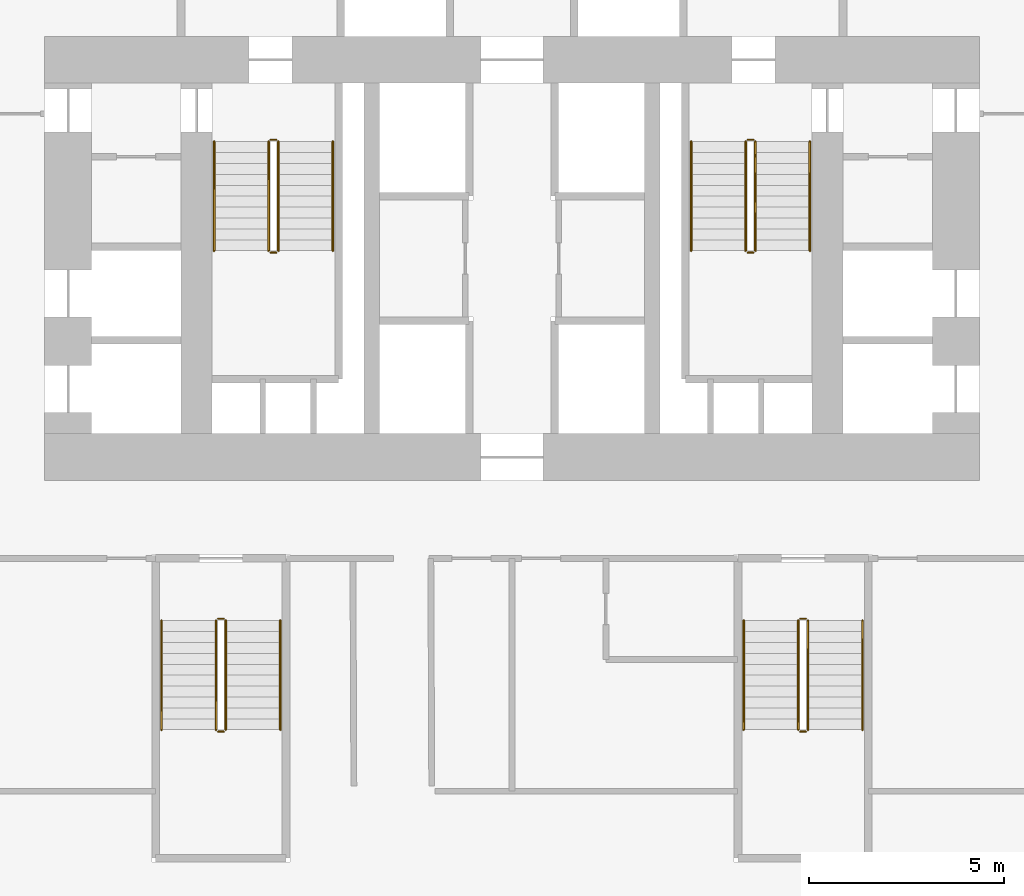
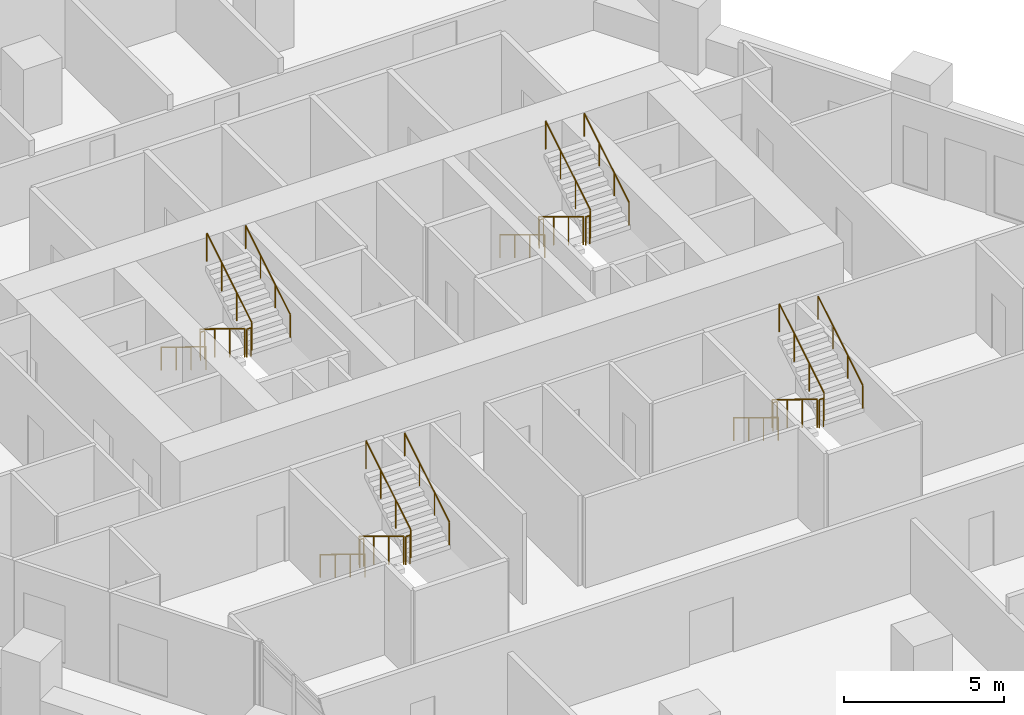
# One storey, part 28 of 28: 24 railings.
"""IFC4 building model written with IfcOpenShell, lengths in metres."""

from ifc_helpers import new_model, si_unit, direction, frame, origin, origin_2d, place, context, subcontext, project, spatial, circle, extrude, material, type_object, element, save


model = new_model("IFC4")

# Units and contexts
model_context = context("Model", 3, precision=1e-05, world=origin(), true_north=direction((0.0, 1.0)))
body_context = subcontext(model_context, "Body", "Model", "MODEL_VIEW")
ifc_project = project(units=[si_unit("LENGTHUNIT", "METRE"), si_unit("AREAUNIT", "SQUARE_METRE"), si_unit("VOLUMEUNIT", "CUBIC_METRE"), si_unit("PLANEANGLEUNIT", "RADIAN"), si_unit("MASSUNIT", "GRAM", prefix="KILO")], contexts=[model_context])

# Site, building, storey
site_placement = place(None, origin())
site = spatial("IfcSite", under=ifc_project, at=site_placement, CompositionType="ELEMENT")
building_placement = place(site_placement, origin())
building = spatial("IfcBuilding", under=site, at=building_placement, Name="Ostrander Bayou Hotel Tower", CompositionType="ELEMENT")
storey_placement = place(building_placement, frame((0.0, 0.0, 73.0)))
storey = spatial("IfcBuildingStorey", under=building, at=storey_placement, Name="L18", CompositionType="ELEMENT", Elevation=73.0)

# Railings
ifc_material_1 = material(Name="Steel ASTM A500 Gr C", Category="steel")
railing_type_1 = type_object("IfcRailingType", Name="GR1 stair guard 1100 mm steel", PredefinedType="GUARDRAIL", material=ifc_material_1)
railing_1_placement = place(storey_placement, frame((-6.25, 7.0, 0.17041015625)))
element("IfcRailing", 1, at=railing_1_placement, inside=storey, type_object=railing_type_1, Name="L18 STA stair guard 1", PredefinedType="GUARDRAIL", context=body_context, shape_type="SweptSolid", body=[
    extrude(circle(Radius=0.02392578125, at=origin_2d()), frame((0.0, 0.0, 1.076171875), z_axis=(0.0, -0.854169791009, 0.51999420009), x_axis=(1.0, 0.0, 0.0)), (0.0, 0.0, 1.0), 3.278076171875),
    extrude(circle(Radius=0.02099609375, at=origin_2d()), origin(), (0.0, 0.0, 1.0), 1.052001953125),
    extrude(circle(Radius=0.02099609375, at=origin_2d()), frame((0.0, -0.933349609375, 0.568115234375)), (0.0, 0.0, 1.0), 1.052001953125),
    extrude(circle(Radius=0.02099609375, at=origin_2d()), frame((0.0, -1.86669921875, 1.136474609375)), (0.0, 0.0, 1.0), 1.052001953125),
    extrude(circle(Radius=0.02099609375, at=origin_2d()), frame((0.0, -2.800048828125, 1.70458984375)), (0.0, 0.0, 1.0), 1.052001953125),
])
railing_2_placement = place(storey_placement, frame((-6.199951171875, 4.14990234375, 1.875)))
element("IfcRailing", 2, at=railing_2_placement, inside=storey, type_object=railing_type_1, Name="L18 STA stair guard 2", PredefinedType="GUARDRAIL", context=body_context, shape_type="SweptSolid", body=[
    extrude(circle(Radius=0.02392578125, at=origin_2d()), frame((0.0, 0.0, 1.076171875), z_axis=(1.0, 0.0, 0.0), x_axis=(0.0, 1.0, 0.0)), (0.0, 0.0, 1.0), 0.14990234375),
    extrude(circle(Radius=0.02099609375, at=origin_2d()), origin(), (0.0, 0.0, 1.0), 1.052001953125),
    extrude(circle(Radius=0.02099609375, at=origin_2d()), frame((0.14990234375, 0.0, 0.0)), (0.0, 0.0, 1.0), 1.052001953125),
])
railing_3_placement = place(storey_placement, frame((-6.0, 4.199951171875, 2.04541015625)))
element("IfcRailing", 3, at=railing_3_placement, inside=storey, type_object=railing_type_1, Name="L18 STA stair guard 3", PredefinedType="GUARDRAIL", context=body_context, shape_type="SweptSolid", body=[
    extrude(circle(Radius=0.02392578125, at=origin_2d()), frame((0.0, 0.0, 1.076171875), z_axis=(0.0, 0.854169791009, 0.51999420009), x_axis=(-1.0, 0.0, 0.0)), (0.0, 0.0, 1.0), 3.278076171875),
    extrude(circle(Radius=0.02099609375, at=origin_2d()), origin(), (0.0, 0.0, 1.0), 1.052001953125),
    extrude(circle(Radius=0.02099609375, at=origin_2d()), frame((0.0, 0.933349609375, 0.568115234375)), (0.0, 0.0, 1.0), 1.052001953125),
    extrude(circle(Radius=0.02099609375, at=origin_2d()), frame((0.0, 1.86669921875, 1.136474609375)), (0.0, 0.0, 1.0), 1.052001953125),
    extrude(circle(Radius=0.02099609375, at=origin_2d()), frame((0.0, 2.800048828125, 1.70458984375)), (0.0, 0.0, 1.0), 1.052001953125),
])
railing_4_placement = place(storey_placement, frame((-6.199951171875, 7.050048828125, 0.0)))
element("IfcRailing", 4, at=railing_4_placement, inside=storey, type_object=railing_type_1, Name="L18 STA stair guard 4", PredefinedType="GUARDRAIL", context=body_context, shape_type="SweptSolid", body=[
    extrude(circle(Radius=0.02392578125, at=origin_2d()), frame((0.0, 0.0, 1.076171875), z_axis=(1.0, 0.0, 0.0), x_axis=(0.0, 1.0, 0.0)), (0.0, 0.0, 1.0), 0.14990234375),
    extrude(circle(Radius=0.02099609375, at=origin_2d()), origin(), (0.0, 0.0, 1.0), 1.052001953125),
    extrude(circle(Radius=0.02099609375, at=origin_2d()), frame((0.14990234375, 0.0, 0.0)), (0.0, 0.0, 1.0), 1.052001953125),
])
railing_5_placement = place(storey_placement, frame((6.0, 7.0, 0.17041015625)))
element("IfcRailing", 5, at=railing_5_placement, inside=storey, type_object=railing_type_1, Name="L18 STB stair guard 1", PredefinedType="GUARDRAIL", context=body_context, shape_type="SweptSolid", body=[
    extrude(circle(Radius=0.02392578125, at=origin_2d()), frame((0.0, 0.0, 1.076171875), z_axis=(0.0, -0.854169791009, 0.51999420009), x_axis=(1.0, 0.0, 0.0)), (0.0, 0.0, 1.0), 3.278076171875),
    extrude(circle(Radius=0.02099609375, at=origin_2d()), origin(), (0.0, 0.0, 1.0), 1.052001953125),
    extrude(circle(Radius=0.02099609375, at=origin_2d()), frame((0.0, -0.933349609375, 0.568115234375)), (0.0, 0.0, 1.0), 1.052001953125),
    extrude(circle(Radius=0.02099609375, at=origin_2d()), frame((0.0, -1.86669921875, 1.136474609375)), (0.0, 0.0, 1.0), 1.052001953125),
    extrude(circle(Radius=0.02099609375, at=origin_2d()), frame((0.0, -2.800048828125, 1.70458984375)), (0.0, 0.0, 1.0), 1.052001953125),
])
railing_6_placement = place(storey_placement, frame((6.050048828125, 4.14990234375, 1.875)))
element("IfcRailing", 6, at=railing_6_placement, inside=storey, type_object=railing_type_1, Name="L18 STB stair guard 2", PredefinedType="GUARDRAIL", context=body_context, shape_type="SweptSolid", body=[
    extrude(circle(Radius=0.02392578125, at=origin_2d()), frame((0.0, 0.0, 1.076171875), z_axis=(1.0, 0.0, 0.0), x_axis=(0.0, 1.0, 0.0)), (0.0, 0.0, 1.0), 0.14990234375),
    extrude(circle(Radius=0.02099609375, at=origin_2d()), origin(), (0.0, 0.0, 1.0), 1.052001953125),
    extrude(circle(Radius=0.02099609375, at=origin_2d()), frame((0.14990234375, 0.0, 0.0)), (0.0, 0.0, 1.0), 1.052001953125),
])
railing_7_placement = place(storey_placement, frame((6.25, 4.199951171875, 2.04541015625)))
element("IfcRailing", 7, at=railing_7_placement, inside=storey, type_object=railing_type_1, Name="L18 STB stair guard 3", PredefinedType="GUARDRAIL", context=body_context, shape_type="SweptSolid", body=[
    extrude(circle(Radius=0.02392578125, at=origin_2d()), frame((0.0, 0.0, 1.076171875), z_axis=(0.0, 0.854169791009, 0.51999420009), x_axis=(-1.0, 0.0, 0.0)), (0.0, 0.0, 1.0), 3.278076171875),
    extrude(circle(Radius=0.02099609375, at=origin_2d()), origin(), (0.0, 0.0, 1.0), 1.052001953125),
    extrude(circle(Radius=0.02099609375, at=origin_2d()), frame((0.0, 0.933349609375, 0.568115234375)), (0.0, 0.0, 1.0), 1.052001953125),
    extrude(circle(Radius=0.02099609375, at=origin_2d()), frame((0.0, 1.86669921875, 1.136474609375)), (0.0, 0.0, 1.0), 1.052001953125),
    extrude(circle(Radius=0.02099609375, at=origin_2d()), frame((0.0, 2.800048828125, 1.70458984375)), (0.0, 0.0, 1.0), 1.052001953125),
])
railing_8_placement = place(storey_placement, frame((6.050048828125, 7.050048828125, 0.0)))
element("IfcRailing", 8, at=railing_8_placement, inside=storey, type_object=railing_type_1, Name="L18 STB stair guard 4", PredefinedType="GUARDRAIL", context=body_context, shape_type="SweptSolid", body=[
    extrude(circle(Radius=0.02392578125, at=origin_2d()), frame((0.0, 0.0, 1.076171875), z_axis=(1.0, 0.0, 0.0), x_axis=(0.0, 1.0, 0.0)), (0.0, 0.0, 1.0), 0.14990234375),
    extrude(circle(Radius=0.02099609375, at=origin_2d()), origin(), (0.0, 0.0, 1.0), 1.052001953125),
    extrude(circle(Radius=0.02099609375, at=origin_2d()), frame((0.14990234375, 0.0, 0.0)), (0.0, 0.0, 1.0), 1.052001953125),
])
railing_9_placement = place(storey_placement, frame((7.35009765625, -5.300048828125, 0.17041015625)))
element("IfcRailing", 9, at=railing_9_placement, inside=storey, type_object=railing_type_1, Name="L18 STC stair guard 1", PredefinedType="GUARDRAIL", context=body_context, shape_type="SweptSolid", body=[
    extrude(circle(Radius=0.02392578125, at=origin_2d()), frame((0.0, 0.0, 1.076171875), z_axis=(0.0, -0.854169791009, 0.51999420009), x_axis=(1.0, 0.0, 0.0)), (0.0, 0.0, 1.0), 3.278076171875),
    extrude(circle(Radius=0.02099609375, at=origin_2d()), origin(), (0.0, 0.0, 1.0), 1.052001953125),
    extrude(circle(Radius=0.02099609375, at=origin_2d()), frame((0.0, -0.933349609375, 0.568115234375)), (0.0, 0.0, 1.0), 1.052001953125),
    extrude(circle(Radius=0.02099609375, at=origin_2d()), frame((0.0, -1.86669921875, 1.136474609375)), (0.0, 0.0, 1.0), 1.052001953125),
    extrude(circle(Radius=0.02099609375, at=origin_2d()), frame((0.0, -2.800048828125, 1.70458984375)), (0.0, 0.0, 1.0), 1.052001953125),
])
railing_10_placement = place(storey_placement, frame((7.39990234375, -8.14990234375, 1.875)))
element("IfcRailing", 10, at=railing_10_placement, inside=storey, type_object=railing_type_1, Name="L18 STC stair guard 2", PredefinedType="GUARDRAIL", context=body_context, shape_type="SweptSolid", body=[
    extrude(circle(Radius=0.02392578125, at=origin_2d()), frame((0.0, 0.0, 1.076171875), z_axis=(1.0, 0.0, 0.0), x_axis=(0.0, 1.0, 0.0)), (0.0, 0.0, 1.0), 0.150146484375),
    extrude(circle(Radius=0.02099609375, at=origin_2d()), origin(), (0.0, 0.0, 1.0), 1.052001953125),
    extrude(circle(Radius=0.02099609375, at=origin_2d()), frame((0.150146484375, 0.0, 0.0)), (0.0, 0.0, 1.0), 1.052001953125),
])
railing_11_placement = place(storey_placement, frame((7.60009765625, -8.10009765625, 2.04541015625)))
element("IfcRailing", 11, at=railing_11_placement, inside=storey, type_object=railing_type_1, Name="L18 STC stair guard 3", PredefinedType="GUARDRAIL", context=body_context, shape_type="SweptSolid", body=[
    extrude(circle(Radius=0.02392578125, at=origin_2d()), frame((0.0, 0.0, 1.076171875), z_axis=(0.0, 0.854169791009, 0.51999420009), x_axis=(-1.0, 0.0, 0.0)), (0.0, 0.0, 1.0), 3.278076171875),
    extrude(circle(Radius=0.02099609375, at=origin_2d()), origin(), (0.0, 0.0, 1.0), 1.052001953125),
    extrude(circle(Radius=0.02099609375, at=origin_2d()), frame((0.0, 0.933349609375, 0.568115234375)), (0.0, 0.0, 1.0), 1.052001953125),
    extrude(circle(Radius=0.02099609375, at=origin_2d()), frame((0.0, 1.86669921875, 1.136474609375)), (0.0, 0.0, 1.0), 1.052001953125),
    extrude(circle(Radius=0.02099609375, at=origin_2d()), frame((0.0, 2.800048828125, 1.70458984375)), (0.0, 0.0, 1.0), 1.052001953125),
])
railing_12_placement = place(storey_placement, frame((7.39990234375, -5.25, 0.0)))
element("IfcRailing", 12, at=railing_12_placement, inside=storey, type_object=railing_type_1, Name="L18 STC stair guard 4", PredefinedType="GUARDRAIL", context=body_context, shape_type="SweptSolid", body=[
    extrude(circle(Radius=0.02392578125, at=origin_2d()), frame((0.0, 0.0, 1.076171875), z_axis=(1.0, 0.0, 0.0), x_axis=(0.0, 1.0, 0.0)), (0.0, 0.0, 1.0), 0.150146484375),
    extrude(circle(Radius=0.02099609375, at=origin_2d()), origin(), (0.0, 0.0, 1.0), 1.052001953125),
    extrude(circle(Radius=0.02099609375, at=origin_2d()), frame((0.150146484375, 0.0, 0.0)), (0.0, 0.0, 1.0), 1.052001953125),
])
railing_13_placement = place(storey_placement, frame((-7.60009765625, -5.300048828125, 0.17041015625)))
element("IfcRailing", 13, at=railing_13_placement, inside=storey, type_object=railing_type_1, Name="L18 STD stair guard 1", PredefinedType="GUARDRAIL", context=body_context, shape_type="SweptSolid", body=[
    extrude(circle(Radius=0.02392578125, at=origin_2d()), frame((0.0, 0.0, 1.076171875), z_axis=(0.0, -0.854169791009, 0.51999420009), x_axis=(1.0, 0.0, 0.0)), (0.0, 0.0, 1.0), 3.278076171875),
    extrude(circle(Radius=0.02099609375, at=origin_2d()), origin(), (0.0, 0.0, 1.0), 1.052001953125),
    extrude(circle(Radius=0.02099609375, at=origin_2d()), frame((0.0, -0.933349609375, 0.568115234375)), (0.0, 0.0, 1.0), 1.052001953125),
    extrude(circle(Radius=0.02099609375, at=origin_2d()), frame((0.0, -1.86669921875, 1.136474609375)), (0.0, 0.0, 1.0), 1.052001953125),
    extrude(circle(Radius=0.02099609375, at=origin_2d()), frame((0.0, -2.800048828125, 1.70458984375)), (0.0, 0.0, 1.0), 1.052001953125),
])
railing_14_placement = place(storey_placement, frame((-7.550048828125, -8.14990234375, 1.875)))
element("IfcRailing", 14, at=railing_14_placement, inside=storey, type_object=railing_type_1, Name="L18 STD stair guard 2", PredefinedType="GUARDRAIL", context=body_context, shape_type="SweptSolid", body=[
    extrude(circle(Radius=0.02392578125, at=origin_2d()), frame((0.0, 0.0, 1.076171875), z_axis=(1.0, 0.0, 0.0), x_axis=(0.0, 1.0, 0.0)), (0.0, 0.0, 1.0), 0.150146484375),
    extrude(circle(Radius=0.02099609375, at=origin_2d()), origin(), (0.0, 0.0, 1.0), 1.052001953125),
    extrude(circle(Radius=0.02099609375, at=origin_2d()), frame((0.150146484375, 0.0, 0.0)), (0.0, 0.0, 1.0), 1.052001953125),
])
railing_15_placement = place(storey_placement, frame((-7.35009765625, -8.10009765625, 2.04541015625)))
element("IfcRailing", 15, at=railing_15_placement, inside=storey, type_object=railing_type_1, Name="L18 STD stair guard 3", PredefinedType="GUARDRAIL", context=body_context, shape_type="SweptSolid", body=[
    extrude(circle(Radius=0.02392578125, at=origin_2d()), frame((0.0, 0.0, 1.076171875), z_axis=(0.0, 0.854169791009, 0.51999420009), x_axis=(-1.0, 0.0, 0.0)), (0.0, 0.0, 1.0), 3.278076171875),
    extrude(circle(Radius=0.02099609375, at=origin_2d()), origin(), (0.0, 0.0, 1.0), 1.052001953125),
    extrude(circle(Radius=0.02099609375, at=origin_2d()), frame((0.0, 0.933349609375, 0.568115234375)), (0.0, 0.0, 1.0), 1.052001953125),
    extrude(circle(Radius=0.02099609375, at=origin_2d()), frame((0.0, 1.86669921875, 1.136474609375)), (0.0, 0.0, 1.0), 1.052001953125),
    extrude(circle(Radius=0.02099609375, at=origin_2d()), frame((0.0, 2.800048828125, 1.70458984375)), (0.0, 0.0, 1.0), 1.052001953125),
])
railing_16_placement = place(storey_placement, frame((-7.550048828125, -5.25, 0.0)))
element("IfcRailing", 16, at=railing_16_placement, inside=storey, type_object=railing_type_1, Name="L18 STD stair guard 4", PredefinedType="GUARDRAIL", context=body_context, shape_type="SweptSolid", body=[
    extrude(circle(Radius=0.02392578125, at=origin_2d()), frame((0.0, 0.0, 1.076171875), z_axis=(1.0, 0.0, 0.0), x_axis=(0.0, 1.0, 0.0)), (0.0, 0.0, 1.0), 0.150146484375),
    extrude(circle(Radius=0.02099609375, at=origin_2d()), origin(), (0.0, 0.0, 1.0), 1.052001953125),
    extrude(circle(Radius=0.02099609375, at=origin_2d()), frame((0.150146484375, 0.0, 0.0)), (0.0, 0.0, 1.0), 1.052001953125),
])
ifc_material_2 = material(Name="Steel ASTM A500 Gr C", Category="steel")
railing_type_2 = type_object("IfcRailingType", Name="HR1 stair handrail 900 mm steel", PredefinedType="HANDRAIL", material=ifc_material_2)
railing_17_placement = place(storey_placement, frame((-7.64990234375, 7.0, 0.17041015625)))
element("IfcRailing", 17, at=railing_17_placement, inside=storey, type_object=railing_type_2, Name="L18 STA stair handrail 1", PredefinedType="HANDRAIL", context=body_context, shape_type="SweptSolid", body=[
    extrude(circle(Radius=0.02392578125, at=origin_2d()), frame((0.0, 0.0, 0.8759765625), z_axis=(0.0, -0.854169791009, 0.51999420009), x_axis=(1.0, 0.0, 0.0)), (0.0, 0.0, 1.0), 3.278076171875),
    extrude(circle(Radius=0.02099609375, at=origin_2d()), origin(), (0.0, 0.0, 1.0), 0.851806640625),
    extrude(circle(Radius=0.02099609375, at=origin_2d()), frame((0.0, -0.933349609375, 0.568115234375)), (0.0, 0.0, 1.0), 0.851806640625),
    extrude(circle(Radius=0.02099609375, at=origin_2d()), frame((0.0, -1.86669921875, 1.136474609375)), (0.0, 0.0, 1.0), 0.851806640625),
    extrude(circle(Radius=0.02099609375, at=origin_2d()), frame((0.0, -2.800048828125, 1.70458984375)), (0.0, 0.0, 1.0), 0.851806640625),
])
railing_18_placement = place(storey_placement, frame((-4.60009765625, 4.199951171875, 2.04541015625)))
element("IfcRailing", 18, at=railing_18_placement, inside=storey, type_object=railing_type_2, Name="L18 STA stair handrail 2", PredefinedType="HANDRAIL", context=body_context, shape_type="SweptSolid", body=[
    extrude(circle(Radius=0.02392578125, at=origin_2d()), frame((0.0, 0.0, 0.8759765625), z_axis=(0.0, 0.854169791009, 0.51999420009), x_axis=(-1.0, 0.0, 0.0)), (0.0, 0.0, 1.0), 3.278076171875),
    extrude(circle(Radius=0.02099609375, at=origin_2d()), origin(), (0.0, 0.0, 1.0), 0.851806640625),
    extrude(circle(Radius=0.02099609375, at=origin_2d()), frame((0.0, 0.933349609375, 0.568115234375)), (0.0, 0.0, 1.0), 0.851806640625),
    extrude(circle(Radius=0.02099609375, at=origin_2d()), frame((0.0, 1.86669921875, 1.136474609375)), (0.0, 0.0, 1.0), 0.851806640625),
    extrude(circle(Radius=0.02099609375, at=origin_2d()), frame((0.0, 2.800048828125, 1.70458984375)), (0.0, 0.0, 1.0), 0.851806640625),
])
railing_19_placement = place(storey_placement, frame((4.60009765625, 7.0, 0.17041015625)))
element("IfcRailing", 19, at=railing_19_placement, inside=storey, type_object=railing_type_2, Name="L18 STB stair handrail 1", PredefinedType="HANDRAIL", context=body_context, shape_type="SweptSolid", body=[
    extrude(circle(Radius=0.02392578125, at=origin_2d()), frame((0.0, 0.0, 0.8759765625), z_axis=(0.0, -0.854169791009, 0.51999420009), x_axis=(1.0, 0.0, 0.0)), (0.0, 0.0, 1.0), 3.278076171875),
    extrude(circle(Radius=0.02099609375, at=origin_2d()), origin(), (0.0, 0.0, 1.0), 0.851806640625),
    extrude(circle(Radius=0.02099609375, at=origin_2d()), frame((0.0, -0.933349609375, 0.568115234375)), (0.0, 0.0, 1.0), 0.851806640625),
    extrude(circle(Radius=0.02099609375, at=origin_2d()), frame((0.0, -1.86669921875, 1.136474609375)), (0.0, 0.0, 1.0), 0.851806640625),
    extrude(circle(Radius=0.02099609375, at=origin_2d()), frame((0.0, -2.800048828125, 1.70458984375)), (0.0, 0.0, 1.0), 0.851806640625),
])
railing_20_placement = place(storey_placement, frame((7.64990234375, 4.199951171875, 2.04541015625)))
element("IfcRailing", 20, at=railing_20_placement, inside=storey, type_object=railing_type_2, Name="L18 STB stair handrail 2", PredefinedType="HANDRAIL", context=body_context, shape_type="SweptSolid", body=[
    extrude(circle(Radius=0.02392578125, at=origin_2d()), frame((0.0, 0.0, 0.8759765625), z_axis=(0.0, 0.854169791009, 0.51999420009), x_axis=(-1.0, 0.0, 0.0)), (0.0, 0.0, 1.0), 3.278076171875),
    extrude(circle(Radius=0.02099609375, at=origin_2d()), origin(), (0.0, 0.0, 1.0), 0.851806640625),
    extrude(circle(Radius=0.02099609375, at=origin_2d()), frame((0.0, 0.933349609375, 0.568115234375)), (0.0, 0.0, 1.0), 0.851806640625),
    extrude(circle(Radius=0.02099609375, at=origin_2d()), frame((0.0, 1.86669921875, 1.136474609375)), (0.0, 0.0, 1.0), 0.851806640625),
    extrude(circle(Radius=0.02099609375, at=origin_2d()), frame((0.0, 2.800048828125, 1.70458984375)), (0.0, 0.0, 1.0), 0.851806640625),
])
railing_21_placement = place(storey_placement, frame((5.949951171875, -5.300048828125, 0.17041015625)))
element("IfcRailing", 21, at=railing_21_placement, inside=storey, type_object=railing_type_2, Name="L18 STC stair handrail 1", PredefinedType="HANDRAIL", context=body_context, shape_type="SweptSolid", body=[
    extrude(circle(Radius=0.02392578125, at=origin_2d()), frame((0.0, 0.0, 0.8759765625), z_axis=(0.0, -0.854169791009, 0.51999420009), x_axis=(1.0, 0.0, 0.0)), (0.0, 0.0, 1.0), 3.278076171875),
    extrude(circle(Radius=0.02099609375, at=origin_2d()), origin(), (0.0, 0.0, 1.0), 0.851806640625),
    extrude(circle(Radius=0.02099609375, at=origin_2d()), frame((0.0, -0.933349609375, 0.568115234375)), (0.0, 0.0, 1.0), 0.851806640625),
    extrude(circle(Radius=0.02099609375, at=origin_2d()), frame((0.0, -1.86669921875, 1.136474609375)), (0.0, 0.0, 1.0), 0.851806640625),
    extrude(circle(Radius=0.02099609375, at=origin_2d()), frame((0.0, -2.800048828125, 1.70458984375)), (0.0, 0.0, 1.0), 0.851806640625),
])
railing_22_placement = place(storey_placement, frame((9.0, -8.10009765625, 2.04541015625)))
element("IfcRailing", 22, at=railing_22_placement, inside=storey, type_object=railing_type_2, Name="L18 STC stair handrail 2", PredefinedType="HANDRAIL", context=body_context, shape_type="SweptSolid", body=[
    extrude(circle(Radius=0.02392578125, at=origin_2d()), frame((0.0, 0.0, 0.8759765625), z_axis=(0.0, 0.854169791009, 0.51999420009), x_axis=(-1.0, 0.0, 0.0)), (0.0, 0.0, 1.0), 3.278076171875),
    extrude(circle(Radius=0.02099609375, at=origin_2d()), origin(), (0.0, 0.0, 1.0), 0.851806640625),
    extrude(circle(Radius=0.02099609375, at=origin_2d()), frame((0.0, 0.933349609375, 0.568115234375)), (0.0, 0.0, 1.0), 0.851806640625),
    extrude(circle(Radius=0.02099609375, at=origin_2d()), frame((0.0, 1.86669921875, 1.136474609375)), (0.0, 0.0, 1.0), 0.851806640625),
    extrude(circle(Radius=0.02099609375, at=origin_2d()), frame((0.0, 2.800048828125, 1.70458984375)), (0.0, 0.0, 1.0), 0.851806640625),
])
railing_23_placement = place(storey_placement, frame((-9.0, -5.300048828125, 0.17041015625)))
element("IfcRailing", 23, at=railing_23_placement, inside=storey, type_object=railing_type_2, Name="L18 STD stair handrail 1", PredefinedType="HANDRAIL", context=body_context, shape_type="SweptSolid", body=[
    extrude(circle(Radius=0.02392578125, at=origin_2d()), frame((0.0, 0.0, 0.8759765625), z_axis=(0.0, -0.854169791009, 0.51999420009), x_axis=(1.0, 0.0, 0.0)), (0.0, 0.0, 1.0), 3.278076171875),
    extrude(circle(Radius=0.02099609375, at=origin_2d()), origin(), (0.0, 0.0, 1.0), 0.851806640625),
    extrude(circle(Radius=0.02099609375, at=origin_2d()), frame((0.0, -0.933349609375, 0.568115234375)), (0.0, 0.0, 1.0), 0.851806640625),
    extrude(circle(Radius=0.02099609375, at=origin_2d()), frame((0.0, -1.86669921875, 1.136474609375)), (0.0, 0.0, 1.0), 0.851806640625),
    extrude(circle(Radius=0.02099609375, at=origin_2d()), frame((0.0, -2.800048828125, 1.70458984375)), (0.0, 0.0, 1.0), 0.851806640625),
])
railing_24_placement = place(storey_placement, frame((-5.949951171875, -8.10009765625, 2.04541015625)))
element("IfcRailing", 24, at=railing_24_placement, inside=storey, type_object=railing_type_2, Name="L18 STD stair handrail 2", PredefinedType="HANDRAIL", context=body_context, shape_type="SweptSolid", body=[
    extrude(circle(Radius=0.02392578125, at=origin_2d()), frame((0.0, 0.0, 0.8759765625), z_axis=(0.0, 0.854169791009, 0.51999420009), x_axis=(-1.0, 0.0, 0.0)), (0.0, 0.0, 1.0), 3.278076171875),
    extrude(circle(Radius=0.02099609375, at=origin_2d()), origin(), (0.0, 0.0, 1.0), 0.851806640625),
    extrude(circle(Radius=0.02099609375, at=origin_2d()), frame((0.0, 0.933349609375, 0.568115234375)), (0.0, 0.0, 1.0), 0.851806640625),
    extrude(circle(Radius=0.02099609375, at=origin_2d()), frame((0.0, 1.86669921875, 1.136474609375)), (0.0, 0.0, 1.0), 0.851806640625),
    extrude(circle(Radius=0.02099609375, at=origin_2d()), frame((0.0, 2.800048828125, 1.70458984375)), (0.0, 0.0, 1.0), 0.851806640625),
])

save(model, "model.ifc")
